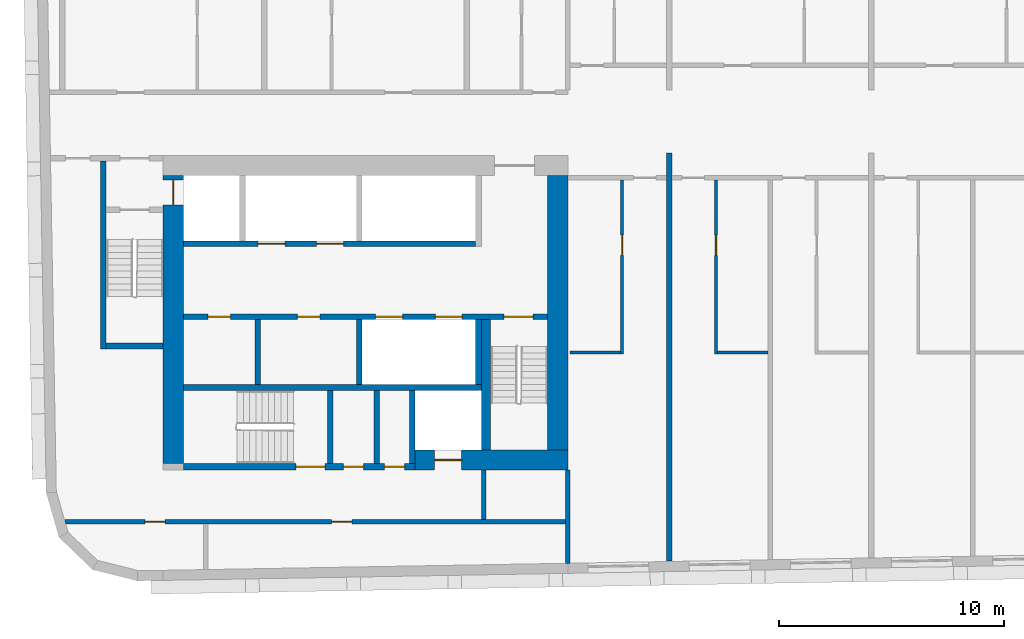
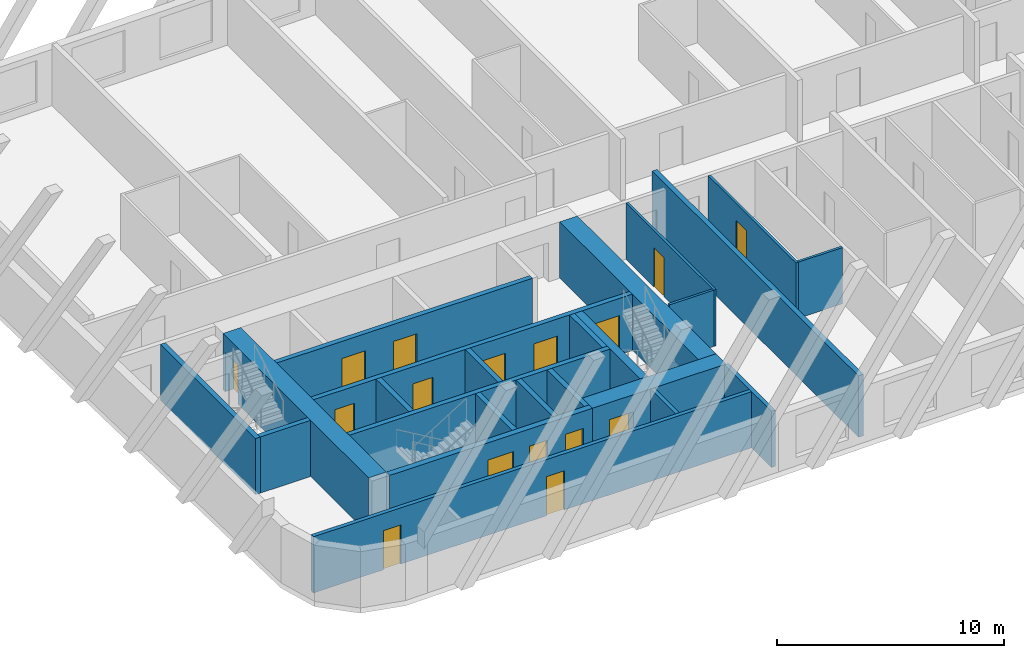
# One storey, part 2 of 12: 24 walls, 16 doors, 16 openings.
"""IFC4 building model written with IfcOpenShell, lengths in metres."""

import ifcopenshell
import ifcopenshell.guid

model = None  # the IFC model being written
_history = None  # IfcOwnerHistory: only IFC2X3 demands one
_inside = {}  # id of a spatial element -> (the spatial element, [elements in it])
_under = {}  # id of a project, library or spatial element -> (it, [spatial elements below it])
_declared = {}  # id of a project -> (the project, [libraries it declares])
_typed = {}  # id of a type object -> (the type object, [elements of that type])
_made_of = {}  # id of a material, layer set ... -> (it, [elements and type objects made of it])


def new_model(schema):
    """Start an empty IFC model of exactly this schema.

    Asked for "IFC4X3", IfcOpenShell would pick the latest addendum, in which some entities
    have other attributes; the version numbers below select the first issue.
    IFC2X3 requires an IfcOwnerHistory on every rooted entity: one is made here for all.
    """
    global model, _history
    if schema == "IFC4X3":
        model = ifcopenshell.file(schema_version=(4, 3, 0, 0))
    else:
        model = ifcopenshell.file(schema=schema)
    _inside.clear()
    _under.clear()
    _declared.clear()
    _typed.clear()
    _made_of.clear()
    _history = None
    if model.schema == "IFC2X3":
        org = make("IfcOrganization", Name="unknown")
        user = make(
            "IfcPersonAndOrganization",
            ThePerson=make("IfcPerson", FamilyName="unknown"),
            TheOrganization=org,
        )
        app = make(
            "IfcApplication",
            ApplicationDeveloper=org,
            Version="unknown",
            ApplicationFullName="unknown",
            ApplicationIdentifier="unknown",
        )
        _history = make(
            "IfcOwnerHistory",
            OwningUser=user,
            OwningApplication=app,
            ChangeAction="ADDED",
            CreationDate=0,
        )
    return model


def make(cls, **values):
    """One entity of the class cls with the attributes given. An attribute that is None is left unset."""
    return model.create_entity(
        cls, **{name: value for name, value in values.items() if value is not None}
    )


def rooted(cls, **values):
    """An entity with a GlobalId (a new one), such as an element, a storey or a relation."""
    return make(cls, GlobalId=ifcopenshell.guid.new(), OwnerHistory=_history, **values)


def si_unit(unit_type, name, prefix=None):
    """IfcSIUnit, for example si_unit("LENGTHUNIT", "METRE", prefix="MILLI")."""
    return make("IfcSIUnit", UnitType=unit_type, Prefix=prefix, Name=name)


def assignment(units):
    """IfcUnitAssignment: the units of a project."""
    return None if units is None else make("IfcUnitAssignment", Units=units)


def point(xyz):
    """IfcCartesianPoint."""
    return None if xyz is None else make("IfcCartesianPoint", Coordinates=xyz)


def direction(xyz):
    """IfcDirection."""
    return None if xyz is None else make("IfcDirection", DirectionRatios=xyz)


def frame(location, z_axis=None, x_axis=None):
    """IfcAxis2Placement3D, a coordinate frame: its origin and axes. An axis left out is left unset."""
    return make(
        "IfcAxis2Placement3D",
        Location=point(location),
        Axis=direction(z_axis),
        RefDirection=direction(x_axis),
    )


def frame_2d(location, x_axis=None):
    """IfcAxis2Placement2D, a coordinate frame in the plane: its origin and x axis."""
    return make(
        "IfcAxis2Placement2D", Location=point(location), RefDirection=direction(x_axis)
    )


def origin():
    """The frame at (0, 0, 0) with its axes left unset."""
    return frame((0.0, 0.0, 0.0))


def place(relative_to, where):
    """IfcLocalPlacement: puts the frame where relative to a parent placement (None: the world)."""
    return make(
        "IfcLocalPlacement", PlacementRelTo=relative_to, RelativePlacement=where
    )


def context(
    kind, dimensions, precision=None, world=None, true_north=None, identifier=None
):
    """IfcGeometricRepresentationContext, for example the 3D "Model" context."""
    return make(
        "IfcGeometricRepresentationContext",
        ContextIdentifier=identifier,
        ContextType=kind,
        CoordinateSpaceDimension=dimensions,
        Precision=precision,
        WorldCoordinateSystem=world,
        TrueNorth=true_north,
    )


def subcontext(parent, identifier, kind, view, scale=None):
    """IfcGeometricRepresentationSubContext, for example "Body" below "Model"."""
    return make(
        "IfcGeometricRepresentationSubContext",
        ContextIdentifier=identifier,
        ContextType=kind,
        ParentContext=parent,
        TargetScale=scale,
        TargetView=view,
    )


def project(units=None, contexts=None):
    """IfcProject with its units and contexts."""
    return rooted(
        "IfcProject",
        Name="project",
        RepresentationContexts=contexts,
        UnitsInContext=assignment(units),
    )


def spatial(cls, under=None, at=None, **own):
    """A site, building, storey or space (cls), placed at a placement, below another one or the project."""
    s = rooted(cls, ObjectPlacement=at, **own)
    if under is not None:
        _under.setdefault(under.id(), (under, []))[1].append(s)
    return s


def profile(cls, at=None, kind="AREA", **sizes):
    """A parametric profile (cls). Its sizes go by their IFC names, for example OverallWidth=200.0."""
    return make(cls, ProfileType=kind, Position=at, **sizes)


def rectangle(**sizes):
    """IfcRectangleProfileDef."""
    return profile("IfcRectangleProfileDef", **sizes)


def extrude(swept, where, along, depth):
    """IfcExtrudedAreaSolid: the profile swept, set in the frame where, extruded along a direction by depth."""
    return make(
        "IfcExtrudedAreaSolid",
        SweptArea=swept,
        Position=where,
        ExtrudedDirection=direction(along),
        Depth=depth,
    )


def shape(context_of_items, identifier, shape_type, items):
    """IfcShapeRepresentation: the items that make up one representation, for example the "Body"."""
    return make(
        "IfcShapeRepresentation",
        ContextOfItems=context_of_items,
        RepresentationIdentifier=identifier,
        RepresentationType=shape_type,
        Items=items,
    )


def material(Name=None, Category=None):
    """IfcMaterial."""
    return make("IfcMaterial", Name=Name, Category=Category)


def layer(
    of_material, thickness, ventilated=None, Name=None, Category=None, Priority=None
):
    """IfcMaterialLayer: one layer of a wall or slab, of a material (None: an air gap)."""
    return make(
        "IfcMaterialLayer",
        Material=of_material,
        LayerThickness=thickness,
        IsVentilated=ventilated,
        Name=Name,
        Category=Category,
        Priority=Priority,
    )


def layer_set(layers, Name=None):
    """IfcMaterialLayerSet."""
    return make("IfcMaterialLayerSet", MaterialLayers=layers, LayerSetName=Name)


def made_of(thing, what):
    """Note that an element or type object is made of a material, layer set ...; save() writes the relation."""
    if what is not None:
        _made_of.setdefault(what.id(), (what, []))[1].append(thing)
    return thing


def type_object(cls, material=None, **own):
    """A type object (cls), such as IfcWallType, which elements share."""
    return made_of(rooted(cls, **own), material)


def element(
    cls,
    number,
    at=None,
    inside=None,
    cuts=None,
    type_object=None,
    material=None,
    context=None,
    identifier="Body",
    shape_type=None,
    held_by="IfcProductDefinitionShape",
    body=None,
    shapes=None,
    **own,
):
    """One element of the class cls, such as IfcWall. Its Tag is "e" and its number.

    at: its placement. inside: the storey or other place that contains it. cuts: it is an
    opening in that element (IfcRelVoidsElement). A single representation is given by context,
    identifier, shape_type and body (its items); several are given by shapes. held_by: the class
    of the entity that holds the representations. save() writes the other relations.
    """
    e = rooted(cls, Tag="e%d" % number, ObjectPlacement=at, **own)
    if body is not None:
        shapes = [shape(context, identifier, shape_type, body)]
    if shapes is not None:
        e.Representation = make(held_by, Representations=shapes)
    if inside is not None:
        _inside.setdefault(inside.id(), (inside, []))[1].append(e)
    if cuts is not None:
        rooted(
            "IfcRelVoidsElement", RelatingBuildingElement=cuts, RelatedOpeningElement=e
        )
    if type_object is not None:
        _typed.setdefault(type_object.id(), (type_object, []))[1].append(e)
    return made_of(e, material)


def fill(opening, filler):
    """IfcRelFillsElement: the door or window that sits in an opening."""
    return rooted(
        "IfcRelFillsElement",
        RelatingOpeningElement=opening,
        RelatedBuildingElement=filler,
    )


def aggregate(whole, parts):
    """IfcRelAggregates: a whole, such as a stair, and the parts it consists of."""
    return rooted("IfcRelAggregates", RelatingObject=whole, RelatedObjects=parts)


def save(model, path):
    """Write the relations noted so far, then the file.

    IfcRelAggregates (storeys below a building ...), IfcRelContainedInSpatialStructure (elements
    in a storey), IfcRelDefinesByType, IfcRelAssociatesMaterial and IfcRelDeclares: one each for
    every whole, place, type object, material and project.
    """
    for whole, parts in _under.values():
        aggregate(whole, parts)
    for where, things in _inside.values():
        rooted(
            "IfcRelContainedInSpatialStructure",
            RelatedElements=things,
            RelatingStructure=where,
        )
    for kind, things in _typed.values():
        rooted("IfcRelDefinesByType", RelatedObjects=things, RelatingType=kind)
    for what, things in _made_of.values():
        rooted("IfcRelAssociatesMaterial", RelatedObjects=things, RelatingMaterial=what)
    for by, libraries in _declared.values():
        rooted("IfcRelDeclares", RelatingContext=by, RelatedDefinitions=libraries)
    model.write(path)


model = new_model("IFC4")

# Units and contexts
model_context = context("Model", 3, precision=1e-05, world=origin(), true_north=direction((0.0, 1.0)))
body_context = subcontext(model_context, "Body", "Model", "MODEL_VIEW")
ifc_project = project(units=[si_unit("LENGTHUNIT", "METRE"), si_unit("AREAUNIT", "SQUARE_METRE"), si_unit("VOLUMEUNIT", "CUBIC_METRE"), si_unit("PLANEANGLEUNIT", "RADIAN"), si_unit("MASSUNIT", "GRAM", prefix="KILO")], contexts=[model_context])

# Site, building, storey
site_placement = place(None, origin())
site = spatial("IfcSite", under=ifc_project, at=site_placement, CompositionType="ELEMENT")
building_placement = place(site_placement, origin())
building = spatial("IfcBuilding", under=site, at=building_placement, Name="Kajstack Hotel Tower", CompositionType="ELEMENT")
storey_placement = place(building_placement, frame((0.0, 0.0, 247.39990234375)))
storey = spatial("IfcBuildingStorey", under=building, at=storey_placement, Name="L61", CompositionType="ELEMENT", Elevation=247.39990234375)

# Wall, opening, door
ifc_material_1 = material(Name="Concrete C60/75", Category="concrete")
ifc_layer_1 = layer(ifc_material_1, 0.89990234375)
ifc_layer_set_1 = layer_set([ifc_layer_1], Name="Core wall 900")
wall_type_1 = type_object("IfcWallType", Name="Core wall 900", PredefinedType="SHEAR", material=ifc_layer_set_1)
wall_1_placement = place(storey_placement, frame((-20.300048828125, -15.050048828125, 0.0), z_axis=(0.0, 0.0, 1.0), x_axis=(1.0, 0.0, 0.0)))
wall_1 = element("IfcWall", 1, at=wall_1_placement, inside=storey, type_object=wall_type_1, Name="Core wall W RS", PredefinedType="SHEAR", context=body_context, shape_type="SweptSolid", body=[
    extrude(rectangle(XDim=6.800048828125, YDim=0.89990234375, at=frame_2d((3.39990234375, 0.0))), origin(), (0.0, 0.0, 1.0), 3.02001953125),
])
opening_1_placement = place(wall_1_placement, frame((0.875, 0.0, 0.0)))
opening_1 = element("IfcOpeningElement", 2, at=opening_1_placement, cuts=wall_1, Name="Opening LD-SV1", PredefinedType="OPENING", context=body_context, shape_type="SweptSolid", body=[
    extrude(rectangle(XDim=1.199951171875, YDim=2.10009765625, at=frame_2d((0.60009765625, 1.050048828125))), frame((0.0, 0.4599609375, 0.0), z_axis=(0.0, -1.0, 0.0), x_axis=(1.0, 0.0, 0.0)), (0.0, 0.0, 1.0), 0.919921875),
])
ifc_material_2 = material(Name="Stainless steel", Category="steel")
door_type_1 = type_object("IfcDoorType", Name="Lift landing door 1200", OperationType="SLIDING_TO_LEFT", PredefinedType="DOOR", material=ifc_material_2)
door_1_placement = place(opening_1_placement, origin())
door_1 = element("IfcDoor", 3, at=door_1_placement, inside=storey, type_object=door_type_1, Name="Landing door SV1", OperationType="SLIDING_TO_LEFT", OverallHeight=2.10009765625, OverallWidth=1.199951171875, PredefinedType="DOOR", context=body_context, shape_type="SweptSolid", body=[
    extrude(rectangle(XDim=1.199951171875, YDim=2.10009765625, at=frame_2d((0.60009765625, 1.050048828125))), frame((0.0, 0.02490234375, 0.0), z_axis=(0.0, -1.0, 0.0), x_axis=(1.0, 0.0, 0.0)), (0.0, 0.0, 1.0), 0.050048828125),
])
fill(opening_1, door_1)

wall_2_placement = place(storey_placement, frame((-31.050048828125, -15.199951171875, 0.0), z_axis=(0.0, 0.0, 1.0), x_axis=(0.0, 1.0, 0.0)))
wall_2 = element("IfcWall", 4, at=wall_2_placement, inside=storey, type_object=wall_type_1, Name="Core wall W RW", PredefinedType="SHEAR", context=body_context, shape_type="SweptSolid", body=[
    extrude(rectangle(XDim=12.800048828125, YDim=0.89990234375, at=frame_2d((6.39990234375, 0.0))), origin(), (0.0, 0.0, 1.0), 3.02001953125),
])
opening_2_placement = place(wall_2_placement, frame((11.5, 0.0, 0.0)))
opening_2 = element("IfcOpeningElement", 5, at=opening_2_placement, cuts=wall_2, Name="Opening LD-FF1", PredefinedType="OPENING", context=body_context, shape_type="SweptSolid", body=[
    extrude(rectangle(XDim=1.10009765625, YDim=2.10009765625, at=frame_2d((0.550048828125, 1.050048828125))), frame((0.0, 0.4599609375, 0.0), z_axis=(0.0, -1.0, 0.0), x_axis=(1.0, 0.0, 0.0)), (0.0, 0.0, 1.0), 0.919921875),
])
door_type_2 = type_object("IfcDoorType", Name="Fire-fighting lift landing door 1100", OperationType="SLIDING_TO_LEFT", PredefinedType="DOOR", material=ifc_material_2)
door_2_placement = place(opening_2_placement, origin())
door_2 = element("IfcDoor", 6, at=door_2_placement, inside=storey, type_object=door_type_2, Name="Landing door FF1", OperationType="SLIDING_TO_RIGHT", OverallHeight=2.10009765625, OverallWidth=1.10009765625, PredefinedType="DOOR", context=body_context, shape_type="SweptSolid", body=[
    extrude(rectangle(XDim=1.10009765625, YDim=2.10009765625, at=frame_2d((0.550048828125, 1.050048828125))), frame((0.0, 0.02490234375, 0.0), z_axis=(0.0, -1.0, 0.0), x_axis=(1.0, 0.0, 0.0)), (0.0, 0.0, 1.0), 0.050048828125),
])
fill(opening_2, door_2)

# Walls
wall_3_placement = place(storey_placement, frame((-13.949951171875, -14.60009765625, 0.0), z_axis=(0.0, 0.0, 1.0), x_axis=(0.0, 1.0, 0.0)))
element("IfcWall", 7, at=wall_3_placement, inside=storey, type_object=wall_type_1, Name="Core wall W RE", PredefinedType="SHEAR", context=body_context, shape_type="SweptSolid", body=[
    extrude(rectangle(XDim=12.2001953125, YDim=0.89990234375, at=frame_2d((6.10009765625, 0.0))), origin(), (0.0, 0.0, 1.0), 3.02001953125),
])
ifc_material_3 = material(Name="Twin-frame gypsum board on steel studs, mineral wool", Category="steel")
ifc_layer_2 = layer(ifc_material_3, 0.199951171875)
ifc_layer_set_2 = layer_set([ifc_layer_2], Name="Demising wall 200")
wall_type_2 = type_object("IfcWallType", Name="Demising wall 200", PredefinedType="PARTITIONING", material=ifc_layer_set_2)
wall_4_placement = place(storey_placement, frame((-13.5, -19.64111328125, 0.0), z_axis=(0.0, 0.0, 1.0), x_axis=(0.0, 1.0, 0.0)))
element("IfcWall", 8, at=wall_4_placement, inside=storey, type_object=wall_type_2, Name="G-wall-L61-002", PredefinedType="PARTITIONING", context=body_context, shape_type="SweptSolid", body=[
    extrude(rectangle(XDim=4.14111328125, YDim=0.199951171875, at=frame_2d((2.070556640625, 0.0))), origin(), (0.0, 0.0, 1.0), 3.02001953125),
])

# Wall, opening, door
ifc_material_4 = material(Name="Gypsum board and tiled backer on steel studs", Category="steel")
ifc_layer_3 = layer(ifc_material_4, 0.125)
ifc_layer_set_3 = layer_set([ifc_layer_3], Name="En-suite wall 125")
wall_type_3 = type_object("IfcWallType", Name="En-suite wall 125", PredefinedType="PARTITIONING", material=ifc_layer_set_3)
wall_5_placement = place(storey_placement, frame((-11.087890625, -10.324951171875, 0.0), z_axis=(0.0, 0.0, 1.0), x_axis=(0.0, 1.0, 0.0)))
wall_5 = element("IfcWall", 9, at=wall_5_placement, inside=storey, type_object=wall_type_3, Name="G-wall-L61-022", PredefinedType="PARTITIONING", context=body_context, shape_type="SweptSolid", body=[
    extrude(rectangle(XDim=7.724853515625, YDim=0.125, at=frame_2d((3.8623046875, 0.0))), origin(), (0.0, 0.0, 1.0), 3.02001953125),
])
opening_3_placement = place(wall_5_placement, frame((4.375, 0.0, 0.0)))
opening_3 = element("IfcOpeningElement", 10, at=opening_3_placement, cuts=wall_5, Name="Opening 61016", PredefinedType="OPENING", context=body_context, shape_type="SweptSolid", body=[
    extrude(rectangle(XDim=0.89990234375, YDim=2.10009765625, at=frame_2d((0.449951171875, 1.050048828125))), frame((0.0, 0.072509765625, 0.0), z_axis=(0.0, -1.0, 0.0), x_axis=(1.0, 0.0, 0.0)), (0.0, 0.0, 1.0), 0.14501953125),
])
ifc_material_5 = material(Name="Painted timber door leaf", Category="wood")
door_type_3 = type_object("IfcDoorType", Name="Room door 900", OperationType="SINGLE_SWING_LEFT", PredefinedType="DOOR", material=ifc_material_5)
door_3_placement = place(opening_3_placement, origin())
door_3 = element("IfcDoor", 11, at=door_3_placement, inside=storey, type_object=door_type_3, Name="G-door-L61-16", OperationType="SINGLE_SWING_LEFT", OverallHeight=2.10009765625, OverallWidth=0.89990234375, PredefinedType="DOOR", context=body_context, shape_type="SweptSolid", body=[
    extrude(rectangle(XDim=0.89990234375, YDim=2.10009765625, at=frame_2d((0.449951171875, 1.050048828125))), frame((0.0, 0.02490234375, 0.0), z_axis=(0.0, -1.0, 0.0), x_axis=(1.0, 0.0, 0.0)), (0.0, 0.0, 1.0), 0.050048828125),
])
fill(opening_3, door_3)

# Wall
wall_6_placement = place(storey_placement, frame((-13.39990234375, -10.261962890625, 0.0), z_axis=(0.0, 0.0, 1.0), x_axis=(1.0, 0.0, 0.0)))
element("IfcWall", 12, at=wall_6_placement, inside=storey, type_object=wall_type_3, Name="G-wall-L61-023", PredefinedType="PARTITIONING", context=body_context, shape_type="SweptSolid", body=[
    extrude(rectangle(XDim=2.25, YDim=0.125, at=frame_2d((1.125, 0.0))), origin(), (0.0, 0.0, 1.0), 3.02001953125),
])

# Wall, opening, door
wall_7_placement = place(storey_placement, frame((-6.912109375, -10.324951171875, 0.0), z_axis=(0.0, 0.0, 1.0), x_axis=(0.0, 1.0, 0.0)))
wall_7 = element("IfcWall", 13, at=wall_7_placement, inside=storey, type_object=wall_type_3, Name="G-wall-L61-025", PredefinedType="PARTITIONING", context=body_context, shape_type="SweptSolid", body=[
    extrude(rectangle(XDim=7.724853515625, YDim=0.125, at=frame_2d((3.8623046875, 0.0))), origin(), (0.0, 0.0, 1.0), 3.02001953125),
])
opening_4_placement = place(wall_7_placement, frame((4.375, 0.0, 0.0)))
opening_4 = element("IfcOpeningElement", 14, at=opening_4_placement, cuts=wall_7, Name="Opening 61018", PredefinedType="OPENING", context=body_context, shape_type="SweptSolid", body=[
    extrude(rectangle(XDim=0.89990234375, YDim=2.10009765625, at=frame_2d((0.449951171875, 1.050048828125))), frame((0.0, 0.072509765625, 0.0), z_axis=(0.0, -1.0, 0.0), x_axis=(1.0, 0.0, 0.0)), (0.0, 0.0, 1.0), 0.14501953125),
])
door_4_placement = place(opening_4_placement, origin())
door_4 = element("IfcDoor", 15, at=door_4_placement, inside=storey, type_object=door_type_3, Name="G-door-L61-18", OperationType="SINGLE_SWING_LEFT", OverallHeight=2.10009765625, OverallWidth=0.89990234375, PredefinedType="DOOR", context=body_context, shape_type="SweptSolid", body=[
    extrude(rectangle(XDim=0.89990234375, YDim=2.10009765625, at=frame_2d((0.449951171875, 1.050048828125))), frame((0.0, 0.02490234375, 0.0), z_axis=(0.0, -1.0, 0.0), x_axis=(1.0, 0.0, 0.0)), (0.0, 0.0, 1.0), 0.050048828125),
])
fill(opening_4, door_4)

# Walls
wall_8_placement = place(storey_placement, frame((-6.85009765625, -10.261962890625, 0.0), z_axis=(0.0, 0.0, 1.0), x_axis=(1.0, 0.0, 0.0)))
element("IfcWall", 16, at=wall_8_placement, inside=storey, type_object=wall_type_3, Name="G-wall-L61-026", PredefinedType="PARTITIONING", context=body_context, shape_type="SweptSolid", body=[
    extrude(rectangle(XDim=2.25, YDim=0.125, at=frame_2d((1.125, 0.0))), origin(), (0.0, 0.0, 1.0), 3.02001953125),
])
ifc_material_6 = material(Name="Concrete C50/60", Category="concrete")
ifc_layer_4 = layer(ifc_material_6, 0.300048828125)
ifc_layer_set_4 = layer_set([ifc_layer_4], Name="Hoistway divider wall 300")
wall_type_4 = type_object("IfcWallType", Name="Hoistway divider wall 300", PredefinedType="SHEAR", material=ifc_layer_set_4)
wall_9_placement = place(storey_placement, frame((-22.77490234375, -11.699951171875, 0.0), z_axis=(0.0, 0.0, 1.0), x_axis=(0.0, 1.0, 0.0)))
element("IfcWall", 17, at=wall_9_placement, inside=storey, type_object=wall_type_4, Name="Core wall W BP2", PredefinedType="SHEAR", context=body_context, shape_type="SweptSolid", body=[
    extrude(rectangle(XDim=2.89990234375, YDim=0.25, at=frame_2d((1.449951171875, 0.0))), origin(), (0.0, 0.0, 1.0), 3.02001953125),
])
ifc_material_7 = material(Name="Concrete C45/55", Category="concrete")
ifc_layer_5 = layer(ifc_material_7, 0.25)
ifc_layer_set_5 = layer_set([ifc_layer_5], Name="RC cross wall 250 C45/55")
wall_type_5 = type_object("IfcWallType", Name="RC cross wall 250 C45/55", PredefinedType="SHEAR", material=ifc_layer_set_5)
wall_10_placement = place(storey_placement, frame((-9.0, -19.55029296875, 0.0), z_axis=(0.0, 0.0, 1.0), x_axis=(0.0, 1.0, 0.0)))
element("IfcWall", 18, at=wall_10_placement, inside=storey, type_object=wall_type_5, Name="S-wall-L61-04", PredefinedType="SHEAR", context=body_context, shape_type="SweptSolid", body=[
    extrude(rectangle(XDim=18.150390625, YDim=0.25, at=frame_2d((9.0751953125, 0.0))), origin(), (0.0, 0.0, 1.0), 3.300048828125),
])
ifc_material_8 = material(Name="Concrete block masonry", Category="masonry")
ifc_layer_6 = layer(ifc_material_8, 0.25)
ifc_layer_set_6 = layer_set([ifc_layer_6], Name="Riser partition 250")
wall_type_6 = type_object("IfcWallType", Name="Riser partition 250", PredefinedType="PARTITIONING", material=ifc_layer_set_6)
wall_11_placement = place(storey_placement, frame((-27.300048828125, -11.699951171875, 0.0), z_axis=(0.0, 0.0, 1.0), x_axis=(0.0, 1.0, 0.0)))
element("IfcWall", 19, at=wall_11_placement, inside=storey, type_object=wall_type_6, Name="Partition W BF0", PredefinedType="PARTITIONING", context=body_context, shape_type="SweptSolid", body=[
    extrude(rectangle(XDim=2.89990234375, YDim=0.25, at=frame_2d((1.449951171875, 0.0))), origin(), (0.0, 0.0, 1.0), 3.02001953125),
])
wall_12_placement = place(storey_placement, frame((-22.0, -15.199951171875, 0.0), z_axis=(0.0, 0.0, 1.0), x_axis=(0.0, 1.0, 0.0)))
element("IfcWall", 20, at=wall_12_placement, inside=storey, type_object=wall_type_6, Name="Partition W SZ0", PredefinedType="PARTITIONING", context=body_context, shape_type="SweptSolid", body=[
    extrude(rectangle(XDim=3.25, YDim=0.25, at=frame_2d((1.625, 0.0))), origin(), (0.0, 0.0, 1.0), 3.02001953125),
])
ifc_material_9 = material(Name="Gypsum board on steel studs, mineral wool", Category="steel")
ifc_layer_7 = layer(ifc_material_9, 0.199951171875)
ifc_layer_set_7 = layer_set([ifc_layer_7], Name="Service partition 200")
wall_type_7 = type_object("IfcWallType", Name="Service partition 200", PredefinedType="PARTITIONING", material=ifc_layer_set_7)
wall_13_placement = place(storey_placement, frame((-17.25, -17.699951171875, 0.0), z_axis=(0.0, 0.0, 1.0), x_axis=(0.0, 1.0, 0.0)))
element("IfcWall", 21, at=wall_13_placement, inside=storey, type_object=wall_type_7, Name="Partition W SCE", PredefinedType="PARTITIONING", context=body_context, shape_type="SweptSolid", body=[
    extrude(rectangle(XDim=2.199951171875, YDim=0.199951171875, at=frame_2d((1.10009765625, 0.0))), origin(), (0.0, 0.0, 1.0), 3.02001953125),
])

# Wall, openings, doors
wall_14_placement = place(storey_placement, frame((-35.86376953125, -17.800048828125, 0.0), z_axis=(0.0, 0.0, 1.0), x_axis=(1.0, 0.0, 0.0)))
wall_14 = element("IfcWall", 22, at=wall_14_placement, inside=storey, type_object=wall_type_7, Name="Partition W SLN", PredefinedType="PARTITIONING", context=body_context, shape_type="SweptSolid", body=[
    extrude(rectangle(XDim=22.263671875, YDim=0.199951171875, at=frame_2d((11.1318359375, 0.0))), origin(), (0.0, 0.0, 1.0), 3.02001953125),
])
opening_5_placement = place(wall_14_placement, frame((3.55126953125, 0.0, 0.0)))
opening_5 = element("IfcOpeningElement", 23, at=opening_5_placement, cuts=wall_14, Name="Opening 61W17", PredefinedType="OPENING", context=body_context, shape_type="SweptSolid", body=[
    extrude(rectangle(XDim=0.89990234375, YDim=2.10009765625, at=frame_2d((0.449951171875, 1.050048828125))), frame((0.0, 0.10986328125, 0.0), z_axis=(0.0, -1.0, 0.0), x_axis=(1.0, 0.0, 0.0)), (0.0, 0.0, 1.0), 0.219970703125),
])
opening_6_placement = place(wall_14_placement, frame((11.851318359375, 0.0, 0.0)))
opening_6 = element("IfcOpeningElement", 24, at=opening_6_placement, cuts=wall_14, Name="Opening 61W18", PredefinedType="OPENING", context=body_context, shape_type="SweptSolid", body=[
    extrude(rectangle(XDim=0.89990234375, YDim=2.10009765625, at=frame_2d((0.449951171875, 1.050048828125))), frame((0.0, 0.10986328125, 0.0), z_axis=(0.0, -1.0, 0.0), x_axis=(1.0, 0.0, 0.0)), (0.0, 0.0, 1.0), 0.219970703125),
])
ifc_material_10 = material(Name="Timber leaf, fire-rated", Category="wood")
door_type_4 = type_object("IfcDoorType", Name="Service door 900", OperationType="SINGLE_SWING_LEFT", PredefinedType="DOOR", material=ifc_material_10)
door_5_placement = place(opening_5_placement, origin())
door_5 = element("IfcDoor", 25, at=door_5_placement, inside=storey, type_object=door_type_4, Name="Door 61W17", OperationType="SINGLE_SWING_RIGHT", OverallHeight=2.10009765625, OverallWidth=0.89990234375, PredefinedType="DOOR", context=body_context, shape_type="SweptSolid", body=[
    extrude(rectangle(XDim=0.89990234375, YDim=2.10009765625, at=frame_2d((0.449951171875, 1.050048828125))), frame((0.0, 0.02490234375, 0.0), z_axis=(0.0, -1.0, 0.0), x_axis=(1.0, 0.0, 0.0)), (0.0, 0.0, 1.0), 0.050048828125),
])
fill(opening_5, door_5)
door_6_placement = place(opening_6_placement, origin())
door_6 = element("IfcDoor", 26, at=door_6_placement, inside=storey, type_object=door_type_4, Name="Door 61W18", OperationType="SINGLE_SWING_RIGHT", OverallHeight=2.10009765625, OverallWidth=0.89990234375, PredefinedType="DOOR", context=body_context, shape_type="SweptSolid", body=[
    extrude(rectangle(XDim=0.89990234375, YDim=2.10009765625, at=frame_2d((0.449951171875, 1.050048828125))), frame((0.0, 0.02490234375, 0.0), z_axis=(0.0, -1.0, 0.0), x_axis=(1.0, 0.0, 0.0)), (0.0, 0.0, 1.0), 0.050048828125),
])
fill(opening_6, door_6)

ifc_layer_8 = layer(ifc_material_6, 0.25)
ifc_layer_set_8 = layer_set([ifc_layer_8], Name="Shaft wall 250")
wall_type_8 = type_object("IfcWallType", Name="Shaft wall 250", PredefinedType="SHEAR", material=ifc_layer_set_8)
wall_15_placement = place(storey_placement, frame((-30.60009765625, -15.35009765625, 0.0), z_axis=(0.0, 0.0, 1.0), x_axis=(1.0, 0.0, 0.0)))
wall_15 = element("IfcWall", 27, at=wall_15_placement, inside=storey, type_object=wall_type_8, Name="Core wall W RSS", PredefinedType="SHEAR", context=body_context, shape_type="SweptSolid", body=[
    extrude(rectangle(XDim=10.300048828125, YDim=0.300048828125, at=frame_2d((5.14990234375, 0.0))), origin(), (0.0, 0.0, 1.0), 3.02001953125),
])
opening_7_placement = place(wall_15_placement, frame((5.0, 0.0, 0.0)))
opening_7 = element("IfcOpeningElement", 28, at=opening_7_placement, cuts=wall_15, Name="Opening 61W12", PredefinedType="OPENING", context=body_context, shape_type="SweptSolid", body=[
    extrude(rectangle(XDim=1.300048828125, YDim=2.10009765625, at=frame_2d((0.64990234375, 1.050048828125))), frame((0.0, 0.159912109375, 0.0), z_axis=(0.0, -1.0, 0.0), x_axis=(1.0, 0.0, 0.0)), (0.0, 0.0, 1.0), 0.320068359375),
])
opening_8_placement = place(wall_15_placement, frame((7.112548828125, 0.0, 0.0)))
opening_8 = element("IfcOpeningElement", 29, at=opening_8_placement, cuts=wall_15, Name="Opening 61W13", PredefinedType="OPENING", context=body_context, shape_type="SweptSolid", body=[
    extrude(rectangle(XDim=0.89990234375, YDim=2.10009765625, at=frame_2d((0.449951171875, 1.050048828125))), frame((0.0, 0.159912109375, 0.0), z_axis=(0.0, -1.0, 0.0), x_axis=(1.0, 0.0, 0.0)), (0.0, 0.0, 1.0), 0.320068359375),
])
opening_9_placement = place(wall_15_placement, frame((8.9375, 0.0, 0.0)))
opening_9 = element("IfcOpeningElement", 30, at=opening_9_placement, cuts=wall_15, Name="Opening 61W14", PredefinedType="OPENING", context=body_context, shape_type="SweptSolid", body=[
    extrude(rectangle(XDim=0.89990234375, YDim=2.10009765625, at=frame_2d((0.449951171875, 1.050048828125))), frame((0.0, 0.159912109375, 0.0), z_axis=(0.0, -1.0, 0.0), x_axis=(1.0, 0.0, 0.0)), (0.0, 0.0, 1.0), 0.320068359375),
])
door_7_placement = place(opening_8_placement, origin())
door_7 = element("IfcDoor", 31, at=door_7_placement, inside=storey, type_object=door_type_4, Name="Door 61W13", OperationType="SINGLE_SWING_LEFT", OverallHeight=2.10009765625, OverallWidth=0.89990234375, PredefinedType="DOOR", context=body_context, shape_type="SweptSolid", body=[
    extrude(rectangle(XDim=0.89990234375, YDim=2.10009765625, at=frame_2d((0.449951171875, 1.050048828125))), frame((0.0, 0.02490234375, 0.0), z_axis=(0.0, -1.0, 0.0), x_axis=(1.0, 0.0, 0.0)), (0.0, 0.0, 1.0), 0.050048828125),
])
fill(opening_8, door_7)
door_8_placement = place(opening_9_placement, origin())
door_8 = element("IfcDoor", 32, at=door_8_placement, inside=storey, type_object=door_type_4, Name="Door 61W14", OperationType="SINGLE_SWING_LEFT", OverallHeight=2.10009765625, OverallWidth=0.89990234375, PredefinedType="DOOR", context=body_context, shape_type="SweptSolid", body=[
    extrude(rectangle(XDim=0.89990234375, YDim=2.10009765625, at=frame_2d((0.449951171875, 1.050048828125))), frame((0.0, 0.02490234375, 0.0), z_axis=(0.0, -1.0, 0.0), x_axis=(1.0, 0.0, 0.0)), (0.0, 0.0, 1.0), 0.050048828125),
])
fill(opening_9, door_8)
ifc_material_11 = material(Name="Steel leaf, fire-rated", Category="steel")
door_type_5 = type_object("IfcDoorType", Name="Stair door 1300", OperationType="SINGLE_SWING_LEFT", PredefinedType="DOOR", material=ifc_material_11)
door_9_placement = place(opening_7_placement, origin())
door_9 = element("IfcDoor", 33, at=door_9_placement, inside=storey, type_object=door_type_5, Name="Door 61W12", OperationType="SINGLE_SWING_RIGHT", OverallHeight=2.10009765625, OverallWidth=1.300048828125, PredefinedType="DOOR", context=body_context, shape_type="SweptSolid", body=[
    extrude(rectangle(XDim=1.300048828125, YDim=2.10009765625, at=frame_2d((0.64990234375, 1.050048828125))), frame((0.0, 0.02490234375, 0.0), z_axis=(0.0, -1.0, 0.0), x_axis=(1.0, 0.0, 0.0)), (0.0, 0.0, 1.0), 0.050048828125),
])
fill(opening_7, door_9)

wall_16_placement = place(storey_placement, frame((-30.60009765625, -5.425048828125, 0.0), z_axis=(0.0, 0.0, 1.0), x_axis=(1.0, 0.0, 0.0)))
wall_16 = element("IfcWall", 34, at=wall_16_placement, inside=storey, type_object=wall_type_8, Name="Core wall W FA", PredefinedType="SHEAR", context=body_context, shape_type="SweptSolid", body=[
    extrude(rectangle(XDim=13.0, YDim=0.25, at=frame_2d((6.5, 0.0))), origin(), (0.0, 0.0, 1.0), 3.02001953125),
])
opening_10_placement = place(wall_16_placement, frame((3.324951171875, 0.0, 0.0)))
opening_10 = element("IfcOpeningElement", 35, at=opening_10_placement, cuts=wall_16, Name="Opening LD-MR3", PredefinedType="OPENING", context=body_context, shape_type="SweptSolid", body=[
    extrude(rectangle(XDim=1.199951171875, YDim=2.10009765625, at=frame_2d((0.60009765625, 1.050048828125))), frame((0.0, 0.135009765625, 0.0), z_axis=(0.0, -1.0, 0.0), x_axis=(1.0, 0.0, 0.0)), (0.0, 0.0, 1.0), 0.27001953125),
])
opening_11_placement = place(wall_16_placement, frame((5.925048828125, 0.0, 0.0)))
opening_11 = element("IfcOpeningElement", 36, at=opening_11_placement, cuts=wall_16, Name="Opening LD-MR4", PredefinedType="OPENING", context=body_context, shape_type="SweptSolid", body=[
    extrude(rectangle(XDim=1.199951171875, YDim=2.10009765625, at=frame_2d((0.60009765625, 1.050048828125))), frame((0.0, 0.135009765625, 0.0), z_axis=(0.0, -1.0, 0.0), x_axis=(1.0, 0.0, 0.0)), (0.0, 0.0, 1.0), 0.27001953125),
])
door_10_placement = place(opening_10_placement, origin())
door_10 = element("IfcDoor", 37, at=door_10_placement, inside=storey, type_object=door_type_1, Name="Landing door MR3", OperationType="SLIDING_TO_RIGHT", OverallHeight=2.10009765625, OverallWidth=1.199951171875, PredefinedType="DOOR", context=body_context, shape_type="SweptSolid", body=[
    extrude(rectangle(XDim=1.199951171875, YDim=2.10009765625, at=frame_2d((0.60009765625, 1.050048828125))), frame((0.0, 0.02490234375, 0.0), z_axis=(0.0, -1.0, 0.0), x_axis=(1.0, 0.0, 0.0)), (0.0, 0.0, 1.0), 0.050048828125),
])
fill(opening_10, door_10)
door_11_placement = place(opening_11_placement, origin())
door_11 = element("IfcDoor", 38, at=door_11_placement, inside=storey, type_object=door_type_1, Name="Landing door MR4", OperationType="SLIDING_TO_RIGHT", OverallHeight=2.10009765625, OverallWidth=1.199951171875, PredefinedType="DOOR", context=body_context, shape_type="SweptSolid", body=[
    extrude(rectangle(XDim=1.199951171875, YDim=2.10009765625, at=frame_2d((0.60009765625, 1.050048828125))), frame((0.0, 0.02490234375, 0.0), z_axis=(0.0, -1.0, 0.0), x_axis=(1.0, 0.0, 0.0)), (0.0, 0.0, 1.0), 0.050048828125),
])
fill(opening_11, door_11)

wall_17_placement = place(storey_placement, frame((-30.60009765625, -8.675048828125, 0.0), z_axis=(0.0, 0.0, 1.0), x_axis=(1.0, 0.0, 0.0)))
wall_17 = element("IfcWall", 39, at=wall_17_placement, inside=storey, type_object=wall_type_8, Name="Core wall W FB", PredefinedType="SHEAR", context=body_context, shape_type="SweptSolid", body=[
    extrude(rectangle(XDim=16.2001953125, YDim=0.25, at=frame_2d((8.10009765625, 0.0))), origin(), (0.0, 0.0, 1.0), 3.02001953125),
])
opening_12_placement = place(wall_17_placement, frame((8.550048828125, 0.0, 0.0)))
opening_12 = element("IfcOpeningElement", 40, at=opening_12_placement, cuts=wall_17, Name="Opening LD-MR1", PredefinedType="OPENING", context=body_context, shape_type="SweptSolid", body=[
    extrude(rectangle(XDim=1.199951171875, YDim=2.10009765625, at=frame_2d((0.60009765625, 1.050048828125))), frame((0.0, 0.135009765625, 0.0), z_axis=(0.0, -1.0, 0.0), x_axis=(1.0, 0.0, 0.0)), (0.0, 0.0, 1.0), 0.27001953125),
])
opening_13_placement = place(wall_17_placement, frame((11.199951171875, 0.0, 0.0)))
opening_13 = element("IfcOpeningElement", 41, at=opening_13_placement, cuts=wall_17, Name="Opening LD-MR2", PredefinedType="OPENING", context=body_context, shape_type="SweptSolid", body=[
    extrude(rectangle(XDim=1.199951171875, YDim=2.10009765625, at=frame_2d((0.60009765625, 1.050048828125))), frame((0.0, 0.135009765625, 0.0), z_axis=(0.0, -1.0, 0.0), x_axis=(1.0, 0.0, 0.0)), (0.0, 0.0, 1.0), 0.27001953125),
])
opening_14_placement = place(wall_17_placement, frame((14.25, 0.0, 0.0)))
opening_14 = element("IfcOpeningElement", 42, at=opening_14_placement, cuts=wall_17, Name="Opening 61W11", PredefinedType="OPENING", context=body_context, shape_type="SweptSolid", body=[
    extrude(rectangle(XDim=1.300048828125, YDim=2.10009765625, at=frame_2d((0.64990234375, 1.050048828125))), frame((0.0, 0.135009765625, 0.0), z_axis=(0.0, -1.0, 0.0), x_axis=(1.0, 0.0, 0.0)), (0.0, 0.0, 1.0), 0.27001953125),
])
opening_15_placement = place(wall_17_placement, frame((1.08740234375, 0.0, 0.0)))
opening_15 = element("IfcOpeningElement", 43, at=opening_15_placement, cuts=wall_17, Name="Opening 61W15", PredefinedType="OPENING", context=body_context, shape_type="SweptSolid", body=[
    extrude(rectangle(XDim=1.0, YDim=2.10009765625, at=frame_2d((0.5, 1.050048828125))), frame((0.0, 0.135009765625, 0.0), z_axis=(0.0, -1.0, 0.0), x_axis=(1.0, 0.0, 0.0)), (0.0, 0.0, 1.0), 0.27001953125),
])
opening_16_placement = place(wall_17_placement, frame((5.0625, 0.0, 0.0)))
opening_16 = element("IfcOpeningElement", 44, at=opening_16_placement, cuts=wall_17, Name="Opening 61W16", PredefinedType="OPENING", context=body_context, shape_type="SweptSolid", body=[
    extrude(rectangle(XDim=1.0, YDim=2.10009765625, at=frame_2d((0.5, 1.050048828125))), frame((0.0, 0.135009765625, 0.0), z_axis=(0.0, -1.0, 0.0), x_axis=(1.0, 0.0, 0.0)), (0.0, 0.0, 1.0), 0.27001953125),
])
door_12_placement = place(opening_12_placement, origin())
door_12 = element("IfcDoor", 45, at=door_12_placement, inside=storey, type_object=door_type_1, Name="Landing door MR1", OperationType="SLIDING_TO_LEFT", OverallHeight=2.10009765625, OverallWidth=1.199951171875, PredefinedType="DOOR", context=body_context, shape_type="SweptSolid", body=[
    extrude(rectangle(XDim=1.199951171875, YDim=2.10009765625, at=frame_2d((0.60009765625, 1.050048828125))), frame((0.0, 0.02490234375, 0.0), z_axis=(0.0, -1.0, 0.0), x_axis=(1.0, 0.0, 0.0)), (0.0, 0.0, 1.0), 0.050048828125),
])
fill(opening_12, door_12)
door_13_placement = place(opening_13_placement, origin())
door_13 = element("IfcDoor", 46, at=door_13_placement, inside=storey, type_object=door_type_1, Name="Landing door MR2", OperationType="SLIDING_TO_RIGHT", OverallHeight=2.10009765625, OverallWidth=1.199951171875, PredefinedType="DOOR", context=body_context, shape_type="SweptSolid", body=[
    extrude(rectangle(XDim=1.199951171875, YDim=2.10009765625, at=frame_2d((0.60009765625, 1.050048828125))), frame((0.0, 0.02490234375, 0.0), z_axis=(0.0, -1.0, 0.0), x_axis=(1.0, 0.0, 0.0)), (0.0, 0.0, 1.0), 0.050048828125),
])
fill(opening_13, door_13)
door_type_6 = type_object("IfcDoorType", Name="Service room door 1000", OperationType="SINGLE_SWING_LEFT", PredefinedType="DOOR", material=ifc_material_10)
door_14_placement = place(opening_15_placement, origin())
door_14 = element("IfcDoor", 47, at=door_14_placement, inside=storey, type_object=door_type_6, Name="Door 61W15", OperationType="SINGLE_SWING_RIGHT", OverallHeight=2.10009765625, OverallWidth=1.0, PredefinedType="DOOR", context=body_context, shape_type="SweptSolid", body=[
    extrude(rectangle(XDim=1.0, YDim=2.10009765625, at=frame_2d((0.5, 1.050048828125))), frame((0.0, 0.02490234375, 0.0), z_axis=(0.0, -1.0, 0.0), x_axis=(1.0, 0.0, 0.0)), (0.0, 0.0, 1.0), 0.050048828125),
])
fill(opening_15, door_14)
door_15_placement = place(opening_16_placement, origin())
door_15 = element("IfcDoor", 48, at=door_15_placement, inside=storey, type_object=door_type_6, Name="Door 61W16", OperationType="SINGLE_SWING_RIGHT", OverallHeight=2.10009765625, OverallWidth=1.0, PredefinedType="DOOR", context=body_context, shape_type="SweptSolid", body=[
    extrude(rectangle(XDim=1.0, YDim=2.10009765625, at=frame_2d((0.5, 1.050048828125))), frame((0.0, 0.02490234375, 0.0), z_axis=(0.0, -1.0, 0.0), x_axis=(1.0, 0.0, 0.0)), (0.0, 0.0, 1.0), 0.050048828125),
])
fill(opening_16, door_15)
door_16_placement = place(opening_14_placement, origin())
door_16 = element("IfcDoor", 49, at=door_16_placement, inside=storey, type_object=door_type_5, Name="Door 61W11", OperationType="SINGLE_SWING_RIGHT", OverallHeight=2.10009765625, OverallWidth=1.300048828125, PredefinedType="DOOR", context=body_context, shape_type="SweptSolid", body=[
    extrude(rectangle(XDim=1.300048828125, YDim=2.10009765625, at=frame_2d((0.64990234375, 1.050048828125))), frame((0.0, 0.02490234375, 0.0), z_axis=(0.0, -1.0, 0.0), x_axis=(1.0, 0.0, 0.0)), (0.0, 0.0, 1.0), 0.050048828125),
])
fill(opening_14, door_16)

# Walls
wall_18_placement = place(storey_placement, frame((-30.60009765625, -11.824951171875, 0.0), z_axis=(0.0, 0.0, 1.0), x_axis=(1.0, 0.0, 0.0)))
element("IfcWall", 50, at=wall_18_placement, inside=storey, type_object=wall_type_8, Name="Core wall W RB", PredefinedType="SHEAR", context=body_context, shape_type="SweptSolid", body=[
    extrude(rectangle(XDim=13.25, YDim=0.25, at=frame_2d((6.625, 0.0))), origin(), (0.0, 0.0, 1.0), 3.02001953125),
])
wall_19_placement = place(storey_placement, frame((-17.47509765625, -11.699951171875, 0.0), z_axis=(0.0, 0.0, 1.0), x_axis=(0.0, 1.0, 0.0)))
element("IfcWall", 51, at=wall_19_placement, inside=storey, type_object=wall_type_8, Name="Core wall W BE", PredefinedType="SHEAR", context=body_context, shape_type="SweptSolid", body=[
    extrude(rectangle(XDim=2.89990234375, YDim=0.25, at=frame_2d((1.449951171875, 0.0))), origin(), (0.0, 0.0, 1.0), 3.02001953125),
])
wall_20_placement = place(storey_placement, frame((-20.425048828125, -15.199951171875, 0.0), z_axis=(0.0, 0.0, 1.0), x_axis=(0.0, 1.0, 0.0)))
element("IfcWall", 52, at=wall_20_placement, inside=storey, type_object=wall_type_8, Name="Core wall W SVW", PredefinedType="SHEAR", context=body_context, shape_type="SweptSolid", body=[
    extrude(rectangle(XDim=3.25, YDim=0.25, at=frame_2d((1.625, 0.0))), origin(), (0.0, 0.0, 1.0), 3.02001953125),
])
ifc_material_12 = material(Name="Concrete C40/50", Category="concrete")
ifc_layer_9 = layer(ifc_material_12, 0.25)
ifc_layer_set_9 = layer_set([ifc_layer_9], Name="Stair enclosure wall 250")
wall_type_9 = type_object("IfcWallType", Name="Stair enclosure wall 250", PredefinedType="SHEAR", material=ifc_layer_set_9)
wall_21_placement = place(storey_placement, frame((-34.175048828125, -10.10009765625, 0.0), z_axis=(0.0, 0.0, 1.0), x_axis=(0.0, 1.0, 0.0)))
element("IfcWall", 53, at=wall_21_placement, inside=storey, type_object=wall_type_9, Name="Core wall W W1W", PredefinedType="SHEAR", context=body_context, shape_type="SweptSolid", body=[
    extrude(rectangle(XDim=8.35009765625, YDim=0.25, at=frame_2d((4.175048828125, 0.0))), origin(), (0.0, 0.0, 1.0), 3.02001953125),
])
wall_22_placement = place(storey_placement, frame((-34.050048828125, -9.97509765625, 0.0), z_axis=(0.0, 0.0, 1.0), x_axis=(1.0, 0.0, 0.0)))
element("IfcWall", 54, at=wall_22_placement, inside=storey, type_object=wall_type_9, Name="Core wall W W1S", PredefinedType="SHEAR", context=body_context, shape_type="SweptSolid", body=[
    extrude(rectangle(XDim=2.550048828125, YDim=0.25, at=frame_2d((1.27490234375, 0.0))), origin(), (0.0, 0.0, 1.0), 3.02001953125),
])
ifc_layer_10 = layer(ifc_material_6, 0.35009765625)
ifc_layer_set_10 = layer_set([ifc_layer_10], Name="Stair enclosure wall 350")
wall_type_10 = type_object("IfcWallType", Name="Stair enclosure wall 350", PredefinedType="SHEAR", material=ifc_layer_set_10)
wall_23_placement = place(storey_placement, frame((-24.074951171875, -15.199951171875, 0.0), z_axis=(0.0, 0.0, 1.0), x_axis=(0.0, 1.0, 0.0)))
element("IfcWall", 55, at=wall_23_placement, inside=storey, type_object=wall_type_10, Name="Core wall W W3E", PredefinedType="SHEAR", context=body_context, shape_type="SweptSolid", body=[
    extrude(rectangle(XDim=3.25, YDim=0.25, at=frame_2d((1.625, 0.0))), origin(), (0.0, 0.0, 1.0), 3.02001953125),
])
ifc_layer_11 = layer(ifc_material_6, 0.39990234375)
ifc_layer_set_11 = layer_set([ifc_layer_11], Name="Stair wall 400")
wall_type_11 = type_object("IfcWallType", Name="Stair wall 400", PredefinedType="SHEAR", material=ifc_layer_set_11)
wall_24_placement = place(storey_placement, frame((-17.14990234375, -14.60009765625, 0.0), z_axis=(0.0, 0.0, 1.0), x_axis=(0.0, 1.0, 0.0)))
element("IfcWall", 56, at=wall_24_placement, inside=storey, type_object=wall_type_11, Name="Core wall W WW2", PredefinedType="SHEAR", context=body_context, shape_type="SweptSolid", body=[
    extrude(rectangle(XDim=5.800048828125, YDim=0.39990234375, at=frame_2d((2.89990234375, 0.0))), origin(), (0.0, 0.0, 1.0), 3.02001953125),
])

save(model, "model.ifc")
